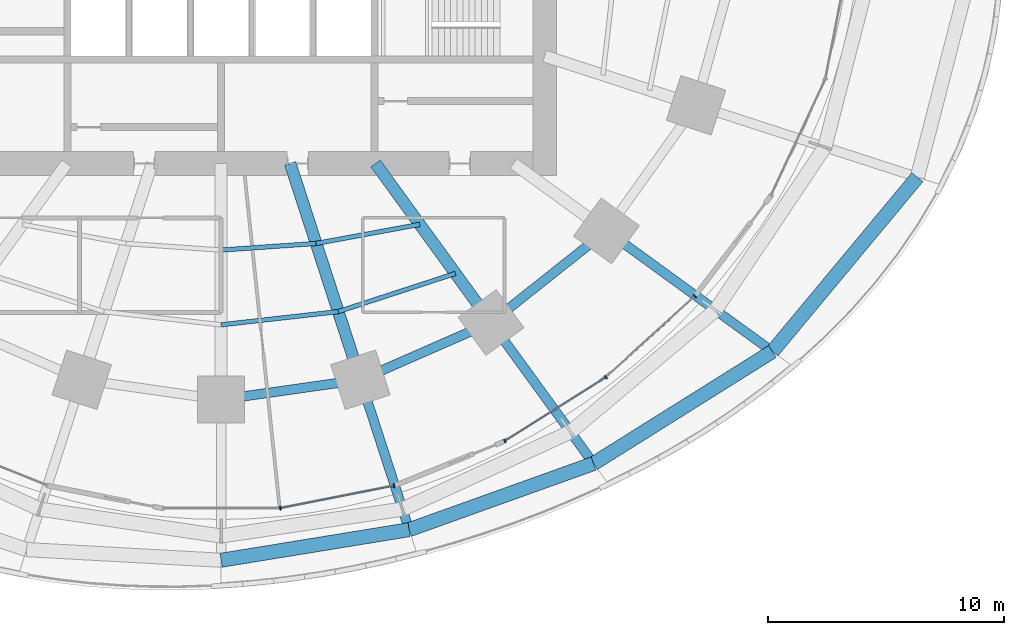
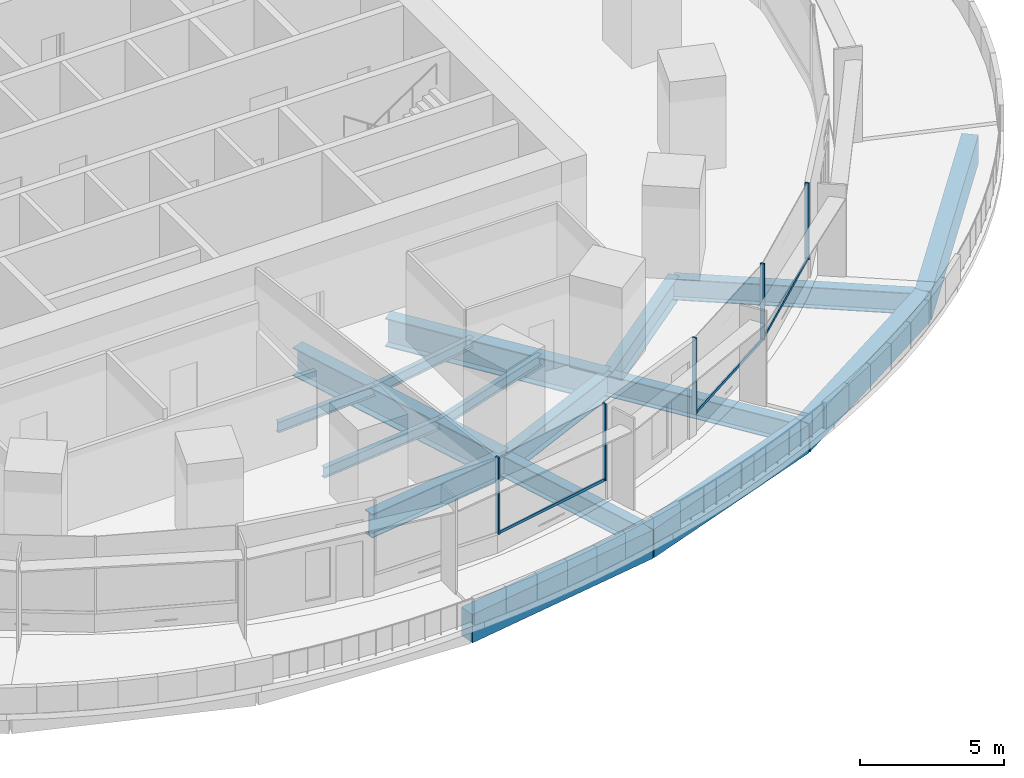
# One storey, part 4 of 20: 16 beams, 8 members, 2 elements without a shape of their own.
"""IFC4 building model written with IfcOpenShell, lengths in metres."""

import ifcopenshell
import ifcopenshell.guid

model = None  # the IFC model being written
_history = None  # IfcOwnerHistory: only IFC2X3 demands one
_inside = {}  # id of a spatial element -> (the spatial element, [elements in it])
_under = {}  # id of a project, library or spatial element -> (it, [spatial elements below it])
_declared = {}  # id of a project -> (the project, [libraries it declares])
_typed = {}  # id of a type object -> (the type object, [elements of that type])
_made_of = {}  # id of a material, layer set ... -> (it, [elements and type objects made of it])


def new_model(schema):
    """Start an empty IFC model of exactly this schema.

    Asked for "IFC4X3", IfcOpenShell would pick the latest addendum, in which some entities
    have other attributes; the version numbers below select the first issue.
    IFC2X3 requires an IfcOwnerHistory on every rooted entity: one is made here for all.
    """
    global model, _history
    if schema == "IFC4X3":
        model = ifcopenshell.file(schema_version=(4, 3, 0, 0))
    else:
        model = ifcopenshell.file(schema=schema)
    _inside.clear()
    _under.clear()
    _declared.clear()
    _typed.clear()
    _made_of.clear()
    _history = None
    if model.schema == "IFC2X3":
        org = make("IfcOrganization", Name="unknown")
        user = make(
            "IfcPersonAndOrganization",
            ThePerson=make("IfcPerson", FamilyName="unknown"),
            TheOrganization=org,
        )
        app = make(
            "IfcApplication",
            ApplicationDeveloper=org,
            Version="unknown",
            ApplicationFullName="unknown",
            ApplicationIdentifier="unknown",
        )
        _history = make(
            "IfcOwnerHistory",
            OwningUser=user,
            OwningApplication=app,
            ChangeAction="ADDED",
            CreationDate=0,
        )
    return model


def make(cls, **values):
    """One entity of the class cls with the attributes given. An attribute that is None is left unset."""
    return model.create_entity(
        cls, **{name: value for name, value in values.items() if value is not None}
    )


def rooted(cls, **values):
    """An entity with a GlobalId (a new one), such as an element, a storey or a relation."""
    return make(cls, GlobalId=ifcopenshell.guid.new(), OwnerHistory=_history, **values)


def si_unit(unit_type, name, prefix=None):
    """IfcSIUnit, for example si_unit("LENGTHUNIT", "METRE", prefix="MILLI")."""
    return make("IfcSIUnit", UnitType=unit_type, Prefix=prefix, Name=name)


def assignment(units):
    """IfcUnitAssignment: the units of a project."""
    return None if units is None else make("IfcUnitAssignment", Units=units)


def point(xyz):
    """IfcCartesianPoint."""
    return None if xyz is None else make("IfcCartesianPoint", Coordinates=xyz)


def direction(xyz):
    """IfcDirection."""
    return None if xyz is None else make("IfcDirection", DirectionRatios=xyz)


def frame(location, z_axis=None, x_axis=None):
    """IfcAxis2Placement3D, a coordinate frame: its origin and axes. An axis left out is left unset."""
    return make(
        "IfcAxis2Placement3D",
        Location=point(location),
        Axis=direction(z_axis),
        RefDirection=direction(x_axis),
    )


def frame_2d(location, x_axis=None):
    """IfcAxis2Placement2D, a coordinate frame in the plane: its origin and x axis."""
    return make(
        "IfcAxis2Placement2D", Location=point(location), RefDirection=direction(x_axis)
    )


def origin():
    """The frame at (0, 0, 0) with its axes left unset."""
    return frame((0.0, 0.0, 0.0))


def origin_2d():
    """The frame at (0, 0) in the plane with its x axis left unset."""
    return frame_2d((0.0, 0.0))


def place(relative_to, where):
    """IfcLocalPlacement: puts the frame where relative to a parent placement (None: the world)."""
    return make(
        "IfcLocalPlacement", PlacementRelTo=relative_to, RelativePlacement=where
    )


def context(
    kind, dimensions, precision=None, world=None, true_north=None, identifier=None
):
    """IfcGeometricRepresentationContext, for example the 3D "Model" context."""
    return make(
        "IfcGeometricRepresentationContext",
        ContextIdentifier=identifier,
        ContextType=kind,
        CoordinateSpaceDimension=dimensions,
        Precision=precision,
        WorldCoordinateSystem=world,
        TrueNorth=true_north,
    )


def subcontext(parent, identifier, kind, view, scale=None):
    """IfcGeometricRepresentationSubContext, for example "Body" below "Model"."""
    return make(
        "IfcGeometricRepresentationSubContext",
        ContextIdentifier=identifier,
        ContextType=kind,
        ParentContext=parent,
        TargetScale=scale,
        TargetView=view,
    )


def project(units=None, contexts=None):
    """IfcProject with its units and contexts."""
    return rooted(
        "IfcProject",
        Name="project",
        RepresentationContexts=contexts,
        UnitsInContext=assignment(units),
    )


def spatial(cls, under=None, at=None, **own):
    """A site, building, storey or space (cls), placed at a placement, below another one or the project."""
    s = rooted(cls, ObjectPlacement=at, **own)
    if under is not None:
        _under.setdefault(under.id(), (under, []))[1].append(s)
    return s


def profile(cls, at=None, kind="AREA", **sizes):
    """A parametric profile (cls). Its sizes go by their IFC names, for example OverallWidth=200.0."""
    return make(cls, ProfileType=kind, Position=at, **sizes)


def rectangle(**sizes):
    """IfcRectangleProfileDef."""
    return profile("IfcRectangleProfileDef", **sizes)


def i_section(**sizes):
    """IfcIShapeProfileDef."""
    return profile("IfcIShapeProfileDef", **sizes)


def extrude(swept, where, along, depth):
    """IfcExtrudedAreaSolid: the profile swept, set in the frame where, extruded along a direction by depth."""
    return make(
        "IfcExtrudedAreaSolid",
        SweptArea=swept,
        Position=where,
        ExtrudedDirection=direction(along),
        Depth=depth,
    )


def shape(context_of_items, identifier, shape_type, items):
    """IfcShapeRepresentation: the items that make up one representation, for example the "Body"."""
    return make(
        "IfcShapeRepresentation",
        ContextOfItems=context_of_items,
        RepresentationIdentifier=identifier,
        RepresentationType=shape_type,
        Items=items,
    )


def material(Name=None, Category=None):
    """IfcMaterial."""
    return make("IfcMaterial", Name=Name, Category=Category)


def material_profile(
    of_material, cross_section, Name=None, Category=None, Priority=None
):
    """IfcMaterialProfile: a cross section and its material."""
    return make(
        "IfcMaterialProfile",
        Name=Name,
        Material=of_material,
        Profile=cross_section,
        Priority=Priority,
        Category=Category,
    )


def profile_set(profiles, Name=None, composite=None):
    """IfcMaterialProfileSet."""
    return make(
        "IfcMaterialProfileSet",
        Name=Name,
        MaterialProfiles=profiles,
        CompositeProfile=composite,
    )


def made_of(thing, what):
    """Note that an element or type object is made of a material, layer set ...; save() writes the relation."""
    if what is not None:
        _made_of.setdefault(what.id(), (what, []))[1].append(thing)
    return thing


def type_object(cls, material=None, **own):
    """A type object (cls), such as IfcWallType, which elements share."""
    return made_of(rooted(cls, **own), material)


def element(
    cls,
    number,
    at=None,
    inside=None,
    cuts=None,
    type_object=None,
    material=None,
    context=None,
    identifier="Body",
    shape_type=None,
    held_by="IfcProductDefinitionShape",
    body=None,
    shapes=None,
    **own,
):
    """One element of the class cls, such as IfcWall. Its Tag is "e" and its number.

    at: its placement. inside: the storey or other place that contains it. cuts: it is an
    opening in that element (IfcRelVoidsElement). A single representation is given by context,
    identifier, shape_type and body (its items); several are given by shapes. held_by: the class
    of the entity that holds the representations. save() writes the other relations.
    """
    e = rooted(cls, Tag="e%d" % number, ObjectPlacement=at, **own)
    if body is not None:
        shapes = [shape(context, identifier, shape_type, body)]
    if shapes is not None:
        e.Representation = make(held_by, Representations=shapes)
    if inside is not None:
        _inside.setdefault(inside.id(), (inside, []))[1].append(e)
    if cuts is not None:
        rooted(
            "IfcRelVoidsElement", RelatingBuildingElement=cuts, RelatedOpeningElement=e
        )
    if type_object is not None:
        _typed.setdefault(type_object.id(), (type_object, []))[1].append(e)
    return made_of(e, material)


def aggregate(whole, parts):
    """IfcRelAggregates: a whole, such as a stair, and the parts it consists of."""
    return rooted("IfcRelAggregates", RelatingObject=whole, RelatedObjects=parts)


def save(model, path):
    """Write the relations noted so far, then the file.

    IfcRelAggregates (storeys below a building ...), IfcRelContainedInSpatialStructure (elements
    in a storey), IfcRelDefinesByType, IfcRelAssociatesMaterial and IfcRelDeclares: one each for
    every whole, place, type object, material and project.
    """
    for whole, parts in _under.values():
        aggregate(whole, parts)
    for where, things in _inside.values():
        rooted(
            "IfcRelContainedInSpatialStructure",
            RelatedElements=things,
            RelatingStructure=where,
        )
    for kind, things in _typed.values():
        rooted("IfcRelDefinesByType", RelatedObjects=things, RelatingType=kind)
    for what, things in _made_of.values():
        rooted("IfcRelAssociatesMaterial", RelatedObjects=things, RelatingMaterial=what)
    for by, libraries in _declared.values():
        rooted("IfcRelDeclares", RelatingContext=by, RelatedDefinitions=libraries)
    model.write(path)


model = new_model("IFC4")

# Units and contexts
model_context = context("Model", 3, precision=1e-05, world=origin(), true_north=direction((0.0, 1.0)))
body_context = subcontext(model_context, "Body", "Model", "MODEL_VIEW")
ifc_project = project(units=[si_unit("LENGTHUNIT", "METRE"), si_unit("AREAUNIT", "SQUARE_METRE"), si_unit("VOLUMEUNIT", "CUBIC_METRE"), si_unit("PLANEANGLEUNIT", "RADIAN"), si_unit("MASSUNIT", "GRAM", prefix="KILO")], contexts=[model_context])

# Site, building, storey
site_placement = place(None, origin())
site = spatial("IfcSite", under=ifc_project, at=site_placement, CompositionType="ELEMENT")
building_placement = place(site_placement, origin())
building = spatial("IfcBuilding", under=site, at=building_placement, Name="Marramba Exchange Tower", CompositionType="ELEMENT")
storey_placement = place(building_placement, frame((0.0, 0.0, 19.60009765625)))
storey = spatial("IfcBuildingStorey", under=building, at=storey_placement, Name="L04", CompositionType="ELEMENT", Elevation=19.60009765625)

# Beams
ifc_material_1 = material(Name="Concrete N50", Category="concrete")
ifc_material_profile_1 = material_profile(ifc_material_1, rectangle(XDim=0.60009765625, YDim=1.199951171875, at=origin_2d()), Name="RC 600x1200")
ifc_profile_set_1 = profile_set([ifc_material_profile_1], Name="Concrete N50")
beam_type_1 = type_object("IfcBeamType", Name="Edge beam RC 600x1200 N50", PredefinedType="SPANDREL", material=ifc_profile_set_1)
beam_1_placement = place(storey_placement, frame((0.0, -25.800048828125, -0.85009765625), z_axis=(0.987006935066, 0.160677659091, 0.0), x_axis=(-0.160677659091, 0.987006935066, 0.0)))
element("IfcBeam", 1, at=beam_1_placement, inside=storey, type_object=beam_type_1, Name="Edge beam L04 P3C16", PredefinedType="SPANDREL", context=body_context, shape_type="SweptSolid", body=[
    extrude(rectangle(XDim=0.60009765625, YDim=1.199951171875, at=origin_2d()), origin(), (0.0, 0.0, 1.0), 8.066650390625),
])
beam_2_placement = place(storey_placement, frame((7.9619140625, -24.50390625, -0.85009765625), z_axis=(0.941347695699, 0.337438165895, 0.0), x_axis=(-0.337438165895, 0.941347695699, 0.0)))
element("IfcBeam", 2, at=beam_2_placement, inside=storey, type_object=beam_type_1, Name="Edge beam L04 P3C17", PredefinedType="SPANDREL", context=body_context, shape_type="SweptSolid", body=[
    extrude(rectangle(XDim=0.60009765625, YDim=1.199951171875, at=origin_2d()), origin(), (0.0, 0.0, 1.0), 8.29443359375),
])
beam_3_placement = place(storey_placement, frame((15.769775390625, -21.705078125, -0.85009765625), z_axis=(0.847342315291, 0.531047079567, 0.0), x_axis=(-0.531047079567, 0.847342315291, 0.0)))
element("IfcBeam", 3, at=beam_3_placement, inside=storey, type_object=beam_type_1, Name="Edge beam L04 P3C18", PredefinedType="SPANDREL", context=body_context, shape_type="SweptSolid", body=[
    extrude(rectangle(XDim=0.60009765625, YDim=1.199951171875, at=origin_2d()), origin(), (0.0, 0.0, 1.0), 8.936767578125),
])
beam_4_placement = place(storey_placement, frame((23.34228515625, -16.959228515625, -0.85009765625), z_axis=(0.639553814052, 0.768746329377, 0.0), x_axis=(-0.768746329377, 0.639553814052, 0.0)))
element("IfcBeam", 4, at=beam_4_placement, inside=storey, type_object=beam_type_1, Name="Edge beam L04 P3C19", PredefinedType="SPANDREL", context=body_context, shape_type="SweptSolid", body=[
    extrude(rectangle(XDim=0.60009765625, YDim=1.199951171875, at=origin_2d()), origin(), (0.0, 0.0, 1.0), 9.599853515625),
])
ifc_material_2 = material(Name="Steel AS/NZS 3679.1 grade 300", Category="steel")
ifc_material_profile_2 = material_profile(ifc_material_2, i_section(OverallWidth=0.18994140625, OverallDepth=0.4541015625, WebThickness=0.008544921875, FlangeThickness=0.0126953125, FilletRadius=0.011474609375, at=origin_2d()), Name="460UB67.1")
ifc_profile_set_2 = profile_set([ifc_material_profile_2], Name="Steel AS/NZS 3679.1 grade 300")
beam_type_2 = type_object("IfcBeamType", Name="Floor joist 460UB67.1", PredefinedType="JOIST", material=ifc_profile_set_2)
beam_5_placement = place(storey_placement, frame((0.0, -12.665283203125, -0.427001953125), z_axis=(0.99759625901, 0.069294328838, 0.0), x_axis=(-0.069294328838, 0.99759625901, 0.0)))
element("IfcBeam", 5, at=beam_5_placement, inside=storey, type_object=beam_type_2, Name="Joist L04 bay 16 row 1", PredefinedType="JOIST", context=body_context, shape_type="SweptSolid", body=[
    extrude(i_section(OverallWidth=0.18994140625, OverallDepth=0.4541015625, WebThickness=0.008544921875, FlangeThickness=0.0126953125, FilletRadius=0.011474609375, at=origin_2d()), origin(), (0.0, 0.0, 1.0), 4.0341796875),
])
beam_6_placement = place(storey_placement, frame((0.0, -15.83056640625, -0.427001953125), z_axis=(0.993712018573, 0.111966174106, 0.0), x_axis=(-0.111966174106, 0.993712018573, 0.0)))
element("IfcBeam", 6, at=beam_6_placement, inside=storey, type_object=beam_type_2, Name="Joist L04 bay 16 row 2", PredefinedType="JOIST", context=body_context, shape_type="SweptSolid", body=[
    extrude(i_section(OverallWidth=0.18994140625, OverallDepth=0.4541015625, WebThickness=0.008544921875, FlangeThickness=0.0126953125, FilletRadius=0.011474609375, at=origin_2d()), origin(), (0.0, 0.0, 1.0), 4.993408203125),
])
beam_7_placement = place(storey_placement, frame((4.0244140625, -12.3857421875, -0.427001953125), z_axis=(0.983455754421, 0.181148500119, 0.0), x_axis=(-0.181148500119, 0.983455754421, 0.0)))
element("IfcBeam", 7, at=beam_7_placement, inside=storey, type_object=beam_type_2, Name="Joist L04 bay 17 row 1", PredefinedType="JOIST", context=body_context, shape_type="SweptSolid", body=[
    extrude(i_section(OverallWidth=0.18994140625, OverallDepth=0.4541015625, WebThickness=0.008544921875, FlangeThickness=0.0126953125, FilletRadius=0.011474609375, at=origin_2d()), origin(), (0.0, 0.0, 1.0), 4.4609375),
])
beam_8_placement = place(storey_placement, frame((4.9619140625, -15.271484375, -0.427001953125), z_axis=(0.950764024931, 0.309915744834, 0.0), x_axis=(-0.309915744834, 0.950764024931, 0.0)))
element("IfcBeam", 8, at=beam_8_placement, inside=storey, type_object=beam_type_2, Name="Joist L04 bay 17 row 2", PredefinedType="JOIST", context=body_context, shape_type="SweptSolid", body=[
    extrude(i_section(OverallWidth=0.18994140625, OverallDepth=0.4541015625, WebThickness=0.008544921875, FlangeThickness=0.0126953125, FilletRadius=0.011474609375, at=origin_2d()), origin(), (0.0, 0.0, 1.0), 5.2158203125),
])
ifc_material_3 = material(Name="Steel AS/NZS 3679.2 grade 300", Category="steel")
ifc_material_profile_3 = material_profile(ifc_material_3, i_section(OverallWidth=0.5, OverallDepth=1.199951171875, WebThickness=0.01611328125, FlangeThickness=0.0400390625, at=origin_2d()), Name="1200WB455")
ifc_profile_set_3 = profile_set([ifc_material_profile_3], Name="Steel AS/NZS 3679.2 grade 300")
beam_type_3 = type_object("IfcBeamType", Name="Radial girder 1200WB455", PredefinedType="BEAM", material=ifc_profile_set_3)
beam_9_placement = place(storey_placement, frame((2.92431640625, -9.0, -0.800048828125), z_axis=(0.309022428985, -0.951054750466, 0.0), x_axis=(0.951054750466, 0.309022428985, 0.0)))
element("IfcBeam", 9, at=beam_9_placement, inside=storey, type_object=beam_type_3, Name="Radial girder L04 TC17", PredefinedType="BEAM", context=body_context, shape_type="SweptSolid", body=[
    extrude(i_section(OverallWidth=0.5, OverallDepth=1.199951171875, WebThickness=0.01611328125, FlangeThickness=0.0400390625, at=origin_2d()), origin(), (0.0, 0.0, 1.0), 9.628173828125),
])
beam_10_placement = place(storey_placement, frame((6.538818359375, -9.0, -0.800048828125), z_axis=(0.587787877172, -0.809015087282, 0.0), x_axis=(0.809015087282, 0.587787877172, 0.0)))
element("IfcBeam", 10, at=beam_10_placement, inside=storey, type_object=beam_type_3, Name="Radial girder L04 TC18", PredefinedType="BEAM", context=body_context, shape_type="SweptSolid", body=[
    extrude(i_section(OverallWidth=0.5, OverallDepth=1.199951171875, WebThickness=0.01611328125, FlangeThickness=0.0400390625, at=origin_2d()), origin(), (0.0, 0.0, 1.0), 8.322021484375),
])
ifc_material_profile_4 = material_profile(ifc_material_3, i_section(OverallWidth=0.39990234375, OverallDepth=0.89990234375, WebThickness=0.01611328125, FlangeThickness=0.031982421875, at=origin_2d()), Name="900WB282")
ifc_profile_set_4 = profile_set([ifc_material_profile_4], Name="Steel AS/NZS 3679.2 grade 300")
beam_type_4 = type_object("IfcBeamType", Name="Radial girder 900WB282", PredefinedType="BEAM", material=ifc_profile_set_4)
beam_11_placement = place(storey_placement, frame((7.9619140625, -24.50390625, -0.7001953125), z_axis=(-0.309019067689, 0.951055842632, 0.0), x_axis=(-0.951055842632, -0.309019067689, 0.0)))
element("IfcBeam", 11, at=beam_11_placement, inside=storey, type_object=beam_type_4, Name="Radial girder L04 P3C17", PredefinedType="BEAM", context=body_context, shape_type="SweptSolid", body=[
    extrude(i_section(OverallWidth=0.39990234375, OverallDepth=0.89990234375, WebThickness=0.01611328125, FlangeThickness=0.031982421875, at=origin_2d()), origin(), (0.0, 0.0, 1.0), 6.673583984375),
])
beam_12_placement = place(storey_placement, frame((15.769775390625, -21.705078125, -0.7001953125), z_axis=(-0.587798025762, 0.809007713752, 0.0), x_axis=(-0.809007713752, -0.587798025762, 0.0)))
element("IfcBeam", 12, at=beam_12_placement, inside=storey, type_object=beam_type_4, Name="Radial girder L04 P3C18", PredefinedType="BEAM", context=body_context, shape_type="SweptSolid", body=[
    extrude(i_section(OverallWidth=0.39990234375, OverallDepth=0.89990234375, WebThickness=0.01611328125, FlangeThickness=0.031982421875, at=origin_2d()), origin(), (0.0, 0.0, 1.0), 7.38232421875),
])
beam_13_placement = place(storey_placement, frame((23.34228515625, -16.959228515625, -0.7001953125), z_axis=(-0.809008266699, 0.587797264721, 0.0), x_axis=(-0.587797264721, -0.809008266699, 0.0)))
element("IfcBeam", 13, at=beam_13_placement, inside=storey, type_object=beam_type_4, Name="Radial girder L04 P3C19", PredefinedType="BEAM", context=body_context, shape_type="SweptSolid", body=[
    extrude(i_section(OverallWidth=0.39990234375, OverallDepth=0.89990234375, WebThickness=0.01611328125, FlangeThickness=0.031982421875, at=origin_2d()), origin(), (0.0, 0.0, 1.0), 8.685791015625),
])
ifc_material_profile_5 = material_profile(ifc_material_3, i_section(OverallWidth=0.39990234375, OverallDepth=1.0, WebThickness=0.01611328125, FlangeThickness=0.031982421875, at=origin_2d()), Name="1000WB322")
ifc_profile_set_5 = profile_set([ifc_material_profile_5], Name="Steel AS/NZS 3679.2 grade 300")
beam_type_5 = type_object("IfcBeamType", Name="Ring beam 1000WB322", PredefinedType="SPANDREL", material=ifc_profile_set_5)
beam_14_placement = place(storey_placement, frame((0.0, -18.99609375, -0.7001953125), z_axis=(0.990036163016, 0.140813337152, 0.0), x_axis=(-0.140813337152, 0.990036163016, 0.0)))
element("IfcBeam", 14, at=beam_14_placement, inside=storey, type_object=beam_type_5, Name="Ring beam L04 TC16-TC17", PredefinedType="SPANDREL", context=body_context, shape_type="SweptSolid", body=[
    extrude(i_section(OverallWidth=0.39990234375, OverallDepth=1.0, WebThickness=0.01611328125, FlangeThickness=0.031982421875, at=origin_2d()), origin(), (0.0, 0.0, 1.0), 5.958984375),
])
beam_15_placement = place(storey_placement, frame((5.899658203125, -18.156982421875, -0.7001953125), z_axis=(0.915876892158, 0.4014592363, 0.0), x_axis=(-0.4014592363, 0.915876892158, 0.0)))
element("IfcBeam", 15, at=beam_15_placement, inside=storey, type_object=beam_type_5, Name="Ring beam L04 TC17-TC18", PredefinedType="SPANDREL", context=body_context, shape_type="SweptSolid", body=[
    extrude(i_section(OverallWidth=0.39990234375, OverallDepth=1.0, WebThickness=0.01611328125, FlangeThickness=0.031982421875, at=origin_2d()), origin(), (0.0, 0.0, 1.0), 6.038818359375),
])
beam_16_placement = place(storey_placement, frame((11.430419921875, -15.732666015625, -0.7001953125), z_axis=(0.783139438128, 0.621846138887, 0.0), x_axis=(-0.621846138887, 0.783139438128, 0.0)))
element("IfcBeam", 16, at=beam_16_placement, inside=storey, type_object=beam_type_5, Name="Ring beam L04 TC18-TC19", PredefinedType="SPANDREL", context=body_context, shape_type="SweptSolid", body=[
    extrude(i_section(OverallWidth=0.39990234375, OverallDepth=1.0, WebThickness=0.01611328125, FlangeThickness=0.031982421875, at=origin_2d()), origin(), (0.0, 0.0, 1.0), 6.23779296875),
])

# Curtain wall, members
ifc_material_4 = material(Name="Aluminium framing, bronze anodised", Category="aluminium")
curtain_wall_type = type_object("IfcCurtainWallType", Name="Trading floor ribbon curtain wall", PredefinedType="USERDEFINED", material=ifc_material_4)
curtain_wall_1_placement = place(storey_placement, origin())
curtain_wall_1 = element("IfcCurtainWall", 17, at=curtain_wall_1_placement, inside=storey, type_object=curtain_wall_type, Name="Curtain wall CW3 L04 F23-F24", ObjectType="RIBBON CURTAIN WALL", PredefinedType="USERDEFINED")
ifc_material_5 = material(Name="Aluminium mullion, bronze anodised", Category="aluminium")
ifc_material_profile_6 = material_profile(ifc_material_5, rectangle(XDim=0.159912109375, YDim=0.06005859375, at=origin_2d()), Name="CW3 mullion 60x160")
ifc_profile_set_6 = profile_set([ifc_material_profile_6], Name="Aluminium mullion, bronze anodised")
member_type_1 = type_object("IfcMemberType", Name="Trading floor ribbon curtain wall mullion", PredefinedType="MULLION", material=ifc_profile_set_6)
member_1_placement = place(storey_placement, frame((2.509765625, -23.59423828125, 0.7998046875), z_axis=(0.0, 0.0, 1.0), x_axis=(-0.193961202977, 0.98100920064, 0.0)))
member_1 = element("IfcMember", 18, at=member_1_placement, type_object=member_type_1, Name="CW3 mullion 1", PredefinedType="MULLION", context=body_context, shape_type="SweptSolid", body=[
    extrude(rectangle(XDim=0.159912109375, YDim=0.06005859375, at=origin_2d()), origin(), (0.0, 0.0, 1.0), 3.239990234375),
])
member_2_placement = place(storey_placement, frame((7.325439453125, -22.64208984375, 0.7998046875), z_axis=(0.0, 0.0, 1.0), x_axis=(-0.193961202977, 0.98100920064, 0.0)))
member_2 = element("IfcMember", 19, at=member_2_placement, type_object=member_type_1, Name="CW3 mullion 2", PredefinedType="MULLION", context=body_context, shape_type="SweptSolid", body=[
    extrude(rectangle(XDim=0.159912109375, YDim=0.06005859375, at=origin_2d()), origin(), (0.0, 0.0, 1.0), 3.239990234375),
])

curtain_wall_2_placement = place(storey_placement, origin())
curtain_wall_2 = element("IfcCurtainWall", 20, at=curtain_wall_2_placement, inside=storey, type_object=curtain_wall_type, Name="Curtain wall CW3 L04 F26-F27", ObjectType="RIBBON CURTAIN WALL", PredefinedType="USERDEFINED")
member_3_placement = place(storey_placement, frame((12.0146484375, -20.75, 0.7998046875), z_axis=(0.0, 0.0, 1.0), x_axis=(-0.533514646612, 0.845790826298, 0.0)))
member_3 = element("IfcMember", 21, at=member_3_placement, type_object=member_type_1, Name="CW3 mullion 1", PredefinedType="MULLION", context=body_context, shape_type="SweptSolid", body=[
    extrude(rectangle(XDim=0.159912109375, YDim=0.06005859375, at=origin_2d()), origin(), (0.0, 0.0, 1.0), 3.239990234375),
])
member_4_placement = place(storey_placement, frame((16.2900390625, -18.047119140625, 0.7998046875), z_axis=(0.0, 0.0, 1.0), x_axis=(-0.673058133441, 0.739589581463, 0.0)))
member_4 = element("IfcMember", 22, at=member_4_placement, type_object=member_type_1, Name="CW3 mullion 1", PredefinedType="MULLION", context=body_context, shape_type="SweptSolid", body=[
    extrude(rectangle(XDim=0.159912109375, YDim=0.06005859375, at=origin_2d()), origin(), (0.0, 0.0, 1.0), 3.239990234375),
])
member_5_placement = place(storey_placement, frame((20.063232421875, -14.61328125, 0.7998046875), z_axis=(0.0, 0.0, 1.0), x_axis=(-0.673058133441, 0.739589581463, 0.0)))
member_5 = element("IfcMember", 23, at=member_5_placement, type_object=member_type_1, Name="CW3 mullion 2", PredefinedType="MULLION", context=body_context, shape_type="SweptSolid", body=[
    extrude(rectangle(XDim=0.159912109375, YDim=0.06005859375, at=origin_2d()), origin(), (0.0, 0.0, 1.0), 3.239990234375),
])

# Member
ifc_material_6 = material(Name="Aluminium transom, bronze anodised", Category="aluminium")
ifc_material_profile_7 = material_profile(ifc_material_6, rectangle(XDim=0.06005859375, YDim=0.1201171875, at=origin_2d()), Name="CW3 transom 60x120")
ifc_profile_set_7 = profile_set([ifc_material_profile_7], Name="Aluminium transom, bronze anodised")
member_type_2 = type_object("IfcMemberType", Name="Trading floor ribbon curtain wall transom", PredefinedType="USERDEFINED", material=ifc_profile_set_7)
member_6_placement = place(storey_placement, frame((2.539306640625, -23.58837890625, 0.829833984375), z_axis=(0.981012058398, 0.19394674856, 0.0), x_axis=(-0.19394674856, 0.981012058398, 0.0)))
member_6 = element("IfcMember", 24, at=member_6_placement, type_object=member_type_2, Name="CW3 sill transom", ObjectType="TRANSOM", PredefinedType="USERDEFINED", context=body_context, shape_type="SweptSolid", body=[
    extrude(rectangle(XDim=0.06005859375, YDim=0.1201171875, at=origin_2d()), origin(), (0.0, 0.0, 1.0), 4.848876953125),
])

aggregate(curtain_wall_1, [member_1, member_2, member_6])

member_7_placement = place(storey_placement, frame((12.0400390625, -20.734130859375, 0.829833984375), z_axis=(0.845776602594, 0.533537195053, 0.0), x_axis=(-0.533537195053, 0.845776602594, 0.0)))
member_7 = element("IfcMember", 25, at=member_7_placement, type_object=member_type_2, Name="CW3 sill transom", ObjectType="TRANSOM", PredefinedType="USERDEFINED", context=body_context, shape_type="SweptSolid", body=[
    extrude(rectangle(XDim=0.06005859375, YDim=0.1201171875, at=origin_2d()), origin(), (0.0, 0.0, 1.0), 4.998779296875),
])

member_8_placement = place(storey_placement, frame((16.312255859375, -18.02685546875, 0.829833984375), z_axis=(0.739567473829, 0.673082425602, 0.0), x_axis=(-0.673082425602, 0.739567473829, 0.0)))
member_8 = element("IfcMember", 26, at=member_8_placement, type_object=member_type_2, Name="CW3 sill transom", ObjectType="TRANSOM", PredefinedType="USERDEFINED", context=body_context, shape_type="SweptSolid", body=[
    extrude(rectangle(XDim=0.06005859375, YDim=0.1201171875, at=origin_2d()), origin(), (0.0, 0.0, 1.0), 5.041748046875),
])

aggregate(curtain_wall_2, [member_3, member_7, member_4, member_5, member_8])

save(model, "model.ifc")
